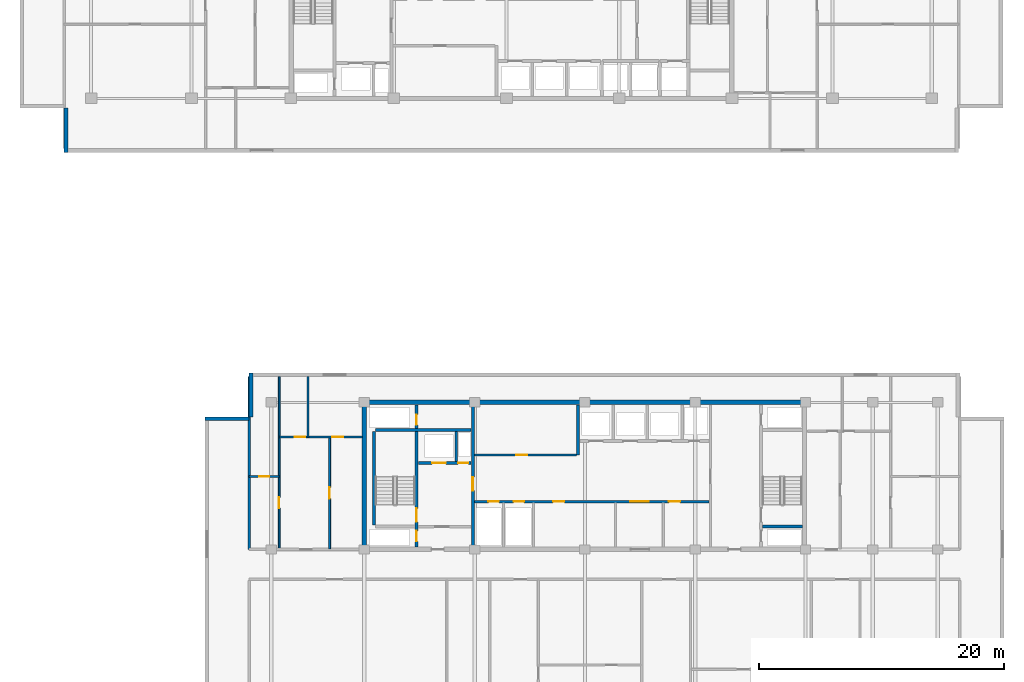
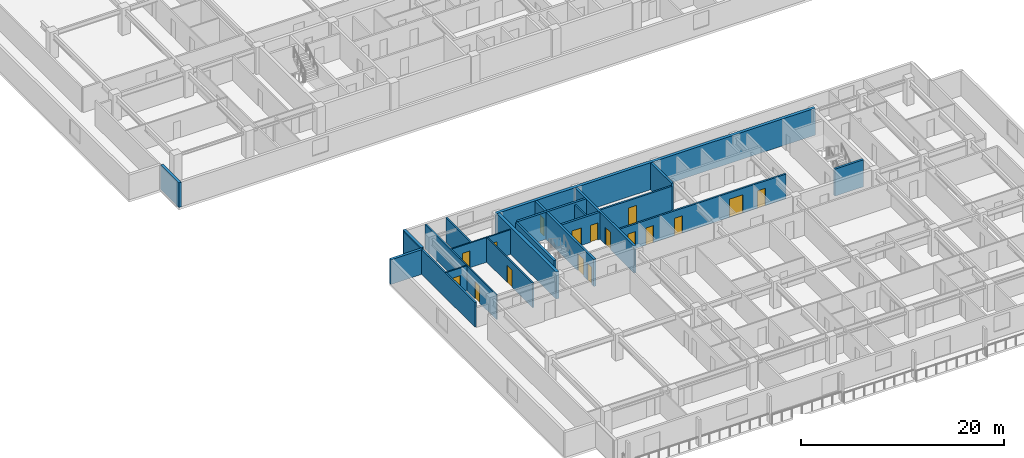
# One storey, part 6 of 21: 21 walls, 17 doors, 17 openings.
"""IFC4 building model written with IfcOpenShell, lengths in metres."""

from ifc_helpers import new_model, si_unit, direction, frame, frame_2d, origin, place, context, subcontext, project, spatial, rectangle, extrude, material, layer, layer_set, type_object, element, fill, save


model = new_model("IFC4")

# Units and contexts
model_context = context("Model", 3, precision=1e-05, world=origin(), true_north=direction((0.0, 1.0)))
body_context = subcontext(model_context, "Body", "Model", "MODEL_VIEW")
ifc_project = project(units=[si_unit("LENGTHUNIT", "METRE"), si_unit("AREAUNIT", "SQUARE_METRE"), si_unit("VOLUMEUNIT", "CUBIC_METRE"), si_unit("PLANEANGLEUNIT", "RADIAN"), si_unit("MASSUNIT", "GRAM", prefix="KILO")], contexts=[model_context])

# Site, building, storey
site_placement = place(None, origin())
site = spatial("IfcSite", under=ifc_project, at=site_placement, CompositionType="ELEMENT")
building_placement = place(site_placement, origin())
building = spatial("IfcBuilding", under=site, at=building_placement, Name="Korimba Cascade Residences", CompositionType="ELEMENT")
storey_placement = place(building_placement, frame((0.0, 0.0, 113.300048828125)))
storey = spatial("IfcBuildingStorey", under=building, at=storey_placement, Name="L32", CompositionType="ELEMENT", Elevation=113.300048828125)

# Walls
ifc_material_1 = material(Name="Precast concrete C40/50", Category="concrete")
ifc_layer_1 = layer(ifc_material_1, 0.300048828125)
ifc_layer_set_1 = layer_set([ifc_layer_1], Name="Precast concrete C40/50")
wall_type_1 = type_object("IfcWallType", Name="EW-STONE-300", PredefinedType="STANDARD", material=ifc_layer_set_1)
wall_1_placement = place(storey_placement, frame((57.75, 54.39990234375, 0.0), z_axis=(0.0, 0.0, 1.0), x_axis=(0.0, -1.0, 0.0)))
element("IfcWall", 1, at=wall_1_placement, inside=storey, type_object=wall_type_1, Name="L32 T1 Perimeter Stone Wall E11", PredefinedType="STANDARD", context=body_context, shape_type="SweptSolid", body=[
    extrude(rectangle(XDim=3.599853515625, YDim=0.300048828125, at=frame_2d((1.7998046875, 0.0))), origin(), (0.0, 0.0, 1.0), 2.969970703125),
])
wall_2_placement = place(storey_placement, frame((72.85009765625, 32.800048828125, 0.0), z_axis=(0.0, 0.0, 1.0), x_axis=(0.0, -1.0, 0.0)))
element("IfcWall", 2, at=wall_2_placement, inside=storey, type_object=wall_type_1, Name="L32 T2 Perimeter Stone Wall E07", PredefinedType="STANDARD", context=body_context, shape_type="SweptSolid", body=[
    extrude(rectangle(XDim=3.60009765625, YDim=0.300048828125, at=frame_2d((1.800048828125, 0.0))), origin(), (0.0, 0.0, 1.0), 2.969970703125),
])
wall_3_placement = place(storey_placement, frame((72.699951171875, 29.050048828125, 0.0), z_axis=(0.0, 0.0, 1.0), x_axis=(-1.0, 0.0, 0.0)))
element("IfcWall", 3, at=wall_3_placement, inside=storey, type_object=wall_type_1, Name="L32 T2 Perimeter Stone Wall E08", PredefinedType="STANDARD", context=body_context, shape_type="SweptSolid", body=[
    extrude(rectangle(XDim=3.599853515625, YDim=0.300048828125, at=frame_2d((1.7998046875, 0.0))), origin(), (0.0, 0.0, 1.0), 2.969970703125),
])
ifc_material_2 = material(Name="Concrete C65/80", Category="concrete")
ifc_layer_2 = layer(ifc_material_2, 0.35009765625)
ifc_layer_set_2 = layer_set([ifc_layer_2], Name="Concrete C65/80")
wall_type_2 = type_object("IfcWallType", Name="WAL-CORE-350", PredefinedType="SHEAR", material=ifc_layer_set_2)
wall_4_placement = place(storey_placement, frame((81.925048828125, 30.39990234375, 0.0), z_axis=(0.0, 0.0, 1.0), x_axis=(1.0, 0.0, 0.0)))
element("IfcWall", 4, at=wall_4_placement, inside=storey, type_object=wall_type_2, Name="L32 Core Shear Wall CW-L32-T2-N", PredefinedType="SHEAR", context=body_context, shape_type="SweptSolid", body=[
    extrude(rectangle(XDim=36.264892578125, YDim=0.35009765625, at=frame_2d((18.13232421875, 0.0))), origin(), (0.0, 0.0, 1.0), 3.25),
])
wall_5_placement = place(storey_placement, frame((82.10009765625, 18.574951171875, 0.0), z_axis=(0.0, 0.0, 1.0), x_axis=(0.0, 1.0, 0.0)))
element("IfcWall", 5, at=wall_5_placement, inside=storey, type_object=wall_type_2, Name="L32 Core Shear Wall CW-L32-T2-W", PredefinedType="SHEAR", context=body_context, shape_type="SweptSolid", body=[
    extrude(rectangle(XDim=11.650146484375, YDim=0.35009765625, at=frame_2d((5.8251953125, 0.0))), origin(), (0.0, 0.0, 1.0), 3.25),
])
ifc_layer_3 = layer(ifc_material_1, 0.199951171875)
ifc_layer_set_3 = layer_set([ifc_layer_3], Name="Precast concrete C40/50")
wall_type_3 = type_object("IfcWallType", Name="WAL-IT-200", PredefinedType="PARTITIONING", material=ifc_layer_set_3)
wall_6_placement = place(storey_placement, frame((72.699951171875, 18.39990234375, 0.0), z_axis=(0.0, 0.0, 1.0), x_axis=(0.0, 1.0, 0.0)))
element("IfcWall", 6, at=wall_6_placement, inside=storey, type_object=wall_type_3, Name="L32 Partition Wall WAL-L32-T2-FW-WL", PredefinedType="PARTITIONING", context=body_context, shape_type="SweptSolid", body=[
    extrude(rectangle(XDim=14.10009765625, YDim=0.199951171875, at=frame_2d((7.050048828125, 0.0))), origin(), (0.0, 0.0, 1.0), 2.969970703125),
])

# Wall, opening, door
ifc_material_3 = material(Name="Insulated Acoustic Stud Partition", Category="gypsum")
ifc_layer_4 = layer(ifc_material_3, 0.14990234375)
ifc_layer_set_4 = layer_set([ifc_layer_4], Name="Insulated Acoustic Stud Partition")
wall_type_4 = type_object("IfcWallType", Name="WAL-PART-150", PredefinedType="PARTITIONING", material=ifc_layer_set_4)
wall_7_placement = place(storey_placement, frame((72.699951171875, 24.35009765625, 0.0), z_axis=(0.0, 0.0, 1.0), x_axis=(1.0, 0.0, 0.0)))
wall_7 = element("IfcWall", 7, at=wall_7_placement, inside=storey, type_object=wall_type_4, Name="L32 Partition Wall WAL-L32-T2-FW-STH", PredefinedType="PARTITIONING", context=body_context, shape_type="SweptSolid", body=[
    extrude(rectangle(XDim=2.449951171875, YDim=0.14990234375, at=frame_2d((1.22509765625, 0.0))), origin(), (0.0, 0.0, 1.0), 2.969970703125),
])
opening_1_placement = place(wall_7_placement, frame((0.804931640625, 0.0, 0.0)))
opening_1 = element("IfcOpeningElement", 8, at=opening_1_placement, cuts=wall_7, Name="Opening D-BT1", PredefinedType="OPENING", context=body_context, shape_type="SweptSolid", body=[
    extrude(rectangle(XDim=0.840087890625, YDim=2.0400390625, at=frame_2d((0.419921875, 1.02001953125))), frame((0.0, 0.0849609375, 0.0), z_axis=(0.0, -1.0, 0.0), x_axis=(1.0, 0.0, 0.0)), (0.0, 0.0, 1.0), 0.169921875),
])
ifc_material_4 = material(Name="Moisture-Resistant Bathroom Timber Door", Category="wood")
door_type_1 = type_object("IfcDoorType", Name="DR-INT-850", OperationType="NOTDEFINED", PredefinedType="DOOR", material=ifc_material_4)
door_1_placement = place(opening_1_placement, origin())
door_1 = element("IfcDoor", 9, at=door_1_placement, inside=storey, type_object=door_type_1, Name="L32-T2-FW Dressing Store Door", OperationType="SINGLE_SWING_RIGHT", OverallHeight=2.0400390625, OverallWidth=0.840087890625, PredefinedType="DOOR", context=body_context, shape_type="SweptSolid", body=[
    extrude(rectangle(XDim=0.840087890625, YDim=2.0400390625, at=frame_2d((0.419921875, 1.02001953125))), frame((0.0, 0.02490234375, 0.0), z_axis=(0.0, -1.0, 0.0), x_axis=(1.0, 0.0, 0.0)), (0.0, 0.0, 1.0), 0.050048828125),
])
fill(opening_1, door_1)

wall_8_placement = place(storey_placement, frame((75.14990234375, 18.449951171875, 0.0), z_axis=(0.0, 0.0, 1.0), x_axis=(0.0, 1.0, 0.0)))
wall_8 = element("IfcWall", 10, at=wall_8_placement, inside=storey, type_object=wall_type_4, Name="L32 Partition Wall WAL-L32-T2-FW-STV", PredefinedType="PARTITIONING", context=body_context, shape_type="SweptSolid", body=[
    extrude(rectangle(XDim=14.050048828125, YDim=0.14990234375, at=frame_2d((7.02490234375, 0.0))), origin(), (0.0, 0.0, 1.0), 2.969970703125),
])
opening_2_placement = place(wall_8_placement, frame((3.320068359375, 0.0, 0.0)))
opening_2 = element("IfcOpeningElement", 11, at=opening_2_placement, cuts=wall_8, Name="Opening D-IN2", PredefinedType="OPENING", context=body_context, shape_type="SweptSolid", body=[
    extrude(rectangle(XDim=0.8798828125, YDim=2.06005859375, at=frame_2d((0.43994140625, 1.030029296875))), frame((0.0, 0.0849609375, 0.0), z_axis=(0.0, -1.0, 0.0), x_axis=(1.0, 0.0, 0.0)), (0.0, 0.0, 1.0), 0.169921875),
])
ifc_material_5 = material(Name="Acoustic Timber Bedroom Door", Category="wood")
door_type_2 = type_object("IfcDoorType", Name="DR-INT-880", OperationType="NOTDEFINED", PredefinedType="DOOR", material=ifc_material_5)
door_2_placement = place(opening_2_placement, origin())
door_2 = element("IfcDoor", 12, at=door_2_placement, inside=storey, type_object=door_type_2, Name="L32-T2-FW Study Door", OperationType="SINGLE_SWING_LEFT", OverallHeight=2.06005859375, OverallWidth=0.8798828125, PredefinedType="DOOR", context=body_context, shape_type="SweptSolid", body=[
    extrude(rectangle(XDim=0.8798828125, YDim=2.06005859375, at=frame_2d((0.43994140625, 1.030029296875))), frame((0.0, 0.02490234375, 0.0), z_axis=(0.0, -1.0, 0.0), x_axis=(1.0, 0.0, 0.0)), (0.0, 0.0, 1.0), 0.050048828125),
])
fill(opening_2, door_2)

wall_9_placement = place(storey_placement, frame((79.27001953125, 18.449951171875, 0.0), z_axis=(0.0, 0.0, 1.0), x_axis=(0.0, 1.0, 0.0)))
wall_9 = element("IfcWall", 13, at=wall_9_placement, inside=storey, type_object=wall_type_4, Name="L32 Partition Wall WAL-L32-T2-FW-VS", PredefinedType="PARTITIONING", context=body_context, shape_type="SweptSolid", body=[
    extrude(rectangle(XDim=9.1201171875, YDim=0.14990234375, at=frame_2d((4.56005859375, 0.0))), origin(), (0.0, 0.0, 1.0), 2.969970703125),
])
opening_3_placement = place(wall_9_placement, frame((4.10009765625, 0.0, 0.0)))
opening_3 = element("IfcOpeningElement", 14, at=opening_3_placement, cuts=wall_9, Name="Opening D-IN1", PredefinedType="OPENING", context=body_context, shape_type="SweptSolid", body=[
    extrude(rectangle(XDim=0.919921875, YDim=2.080078125, at=frame_2d((0.4599609375, 1.0400390625))), frame((0.0, 0.0849609375, 0.0), z_axis=(0.0, -1.0, 0.0), x_axis=(1.0, 0.0, 0.0)), (0.0, 0.0, 1.0), 0.169921875),
])
ifc_material_6 = material(Name="Acoustic Timber Living Door", Category="wood")
door_type_3 = type_object("IfcDoorType", Name="DR-INT-920", OperationType="NOTDEFINED", PredefinedType="DOOR", material=ifc_material_6)
door_3_placement = place(opening_3_placement, origin())
door_3 = element("IfcDoor", 15, at=door_3_placement, inside=storey, type_object=door_type_3, Name="L32-T2-FW Living Door", OperationType="SINGLE_SWING_RIGHT", OverallHeight=2.080078125, OverallWidth=0.919921875, PredefinedType="DOOR", context=body_context, shape_type="SweptSolid", body=[
    extrude(rectangle(XDim=0.919921875, YDim=2.080078125, at=frame_2d((0.4599609375, 1.0400390625))), frame((0.0, 0.02490234375, 0.0), z_axis=(0.0, -1.0, 0.0), x_axis=(1.0, 0.0, 0.0)), (0.0, 0.0, 1.0), 0.050048828125),
])
fill(opening_3, door_3)

# Wall
wall_10_placement = place(storey_placement, frame((77.5, 27.570068359375, 0.0), z_axis=(0.0, 0.0, 1.0), x_axis=(0.0, 1.0, 0.0)))
element("IfcWall", 16, at=wall_10_placement, inside=storey, type_object=wall_type_4, Name="L32 Partition Wall WAL-L32-T2-FW-VN", PredefinedType="PARTITIONING", context=body_context, shape_type="SweptSolid", body=[
    extrude(rectangle(XDim=4.929931640625, YDim=0.14990234375, at=frame_2d((2.46484375, 0.0))), origin(), (0.0, 0.0, 1.0), 2.969970703125),
])

# Wall, openings, doors
wall_11_placement = place(storey_placement, frame((75.169921875, 27.570068359375, 0.0), z_axis=(0.0, 0.0, 1.0), x_axis=(1.0, 0.0, 0.0)))
wall_11 = element("IfcWall", 17, at=wall_11_placement, inside=storey, type_object=wall_type_4, Name="L32 Partition Wall WAL-L32-T2-FW-H", PredefinedType="PARTITIONING", context=body_context, shape_type="SweptSolid", body=[
    extrude(rectangle(XDim=6.760009765625, YDim=0.14990234375, at=frame_2d((3.3798828125, 0.0))), origin(), (0.0, 0.0, 1.0), 2.969970703125),
])
opening_4_placement = place(wall_11_placement, frame((1.266357421875, 0.0, 0.0)))
opening_4 = element("IfcOpeningElement", 18, at=opening_4_placement, cuts=wall_11, Name="Opening D-BT1", PredefinedType="OPENING", context=body_context, shape_type="SweptSolid", body=[
    extrude(rectangle(XDim=0.840087890625, YDim=2.0400390625, at=frame_2d((0.419921875, 1.02001953125))), frame((0.0, 0.0849609375, 0.0), z_axis=(0.0, -1.0, 0.0), x_axis=(1.0, 0.0, 0.0)), (0.0, 0.0, 1.0), 0.169921875),
])
opening_5_placement = place(wall_11_placement, frame((4.320068359375, 0.0, 0.0)))
opening_5 = element("IfcOpeningElement", 19, at=opening_5_placement, cuts=wall_11, Name="Opening D-IN2", PredefinedType="OPENING", context=body_context, shape_type="SweptSolid", body=[
    extrude(rectangle(XDim=0.8798828125, YDim=2.06005859375, at=frame_2d((0.43994140625, 1.030029296875))), frame((0.0, 0.0849609375, 0.0), z_axis=(0.0, -1.0, 0.0), x_axis=(1.0, 0.0, 0.0)), (0.0, 0.0, 1.0), 0.169921875),
])
door_4_placement = place(opening_4_placement, origin())
door_4 = element("IfcDoor", 20, at=door_4_placement, inside=storey, type_object=door_type_1, Name="L32-T2-FW Bathroom Door", OperationType="SINGLE_SWING_LEFT", OverallHeight=2.0400390625, OverallWidth=0.840087890625, PredefinedType="DOOR", context=body_context, shape_type="SweptSolid", body=[
    extrude(rectangle(XDim=0.840087890625, YDim=2.0400390625, at=frame_2d((0.419921875, 1.02001953125))), frame((0.0, 0.02490234375, 0.0), z_axis=(0.0, -1.0, 0.0), x_axis=(1.0, 0.0, 0.0)), (0.0, 0.0, 1.0), 0.050048828125),
])
fill(opening_4, door_4)
door_5_placement = place(opening_5_placement, origin())
door_5 = element("IfcDoor", 21, at=door_5_placement, inside=storey, type_object=door_type_2, Name="L32-T2-FW Bedroom Door", OperationType="SINGLE_SWING_RIGHT", OverallHeight=2.06005859375, OverallWidth=0.8798828125, PredefinedType="DOOR", context=body_context, shape_type="SweptSolid", body=[
    extrude(rectangle(XDim=0.8798828125, YDim=2.06005859375, at=frame_2d((0.43994140625, 1.030029296875))), frame((0.0, 0.02490234375, 0.0), z_axis=(0.0, -1.0, 0.0), x_axis=(1.0, 0.0, 0.0)), (0.0, 0.0, 1.0), 0.050048828125),
])
fill(opening_5, door_5)

# Wall
ifc_material_7 = material(Name="Concrete C40/50", Category="concrete")
ifc_layer_5 = layer(ifc_material_7, 0.199951171875)
ifc_layer_set_5 = layer_set([ifc_layer_5], Name="Concrete C40/50")
wall_type_5 = type_object("IfcWallType", Name="WAL-PART-200", PredefinedType="PARTITIONING", material=ifc_layer_set_5)
wall_12_placement = place(storey_placement, frame((89.60009765625, 25.580078125, 0.0), z_axis=(0.0, 0.0, 1.0), x_axis=(0.0, 1.0, 0.0)))
element("IfcWall", 22, at=wall_12_placement, inside=storey, type_object=wall_type_5, Name="L32 Partition Wall CW-L32-T2-FFLDIV", PredefinedType="PARTITIONING", context=body_context, shape_type="SweptSolid", body=[
    extrude(rectangle(XDim=2.419921875, YDim=0.199951171875, at=frame_2d((1.2099609375, 0.0))), origin(), (0.0, 0.0, 1.0), 2.969970703125),
])

# Wall, opening, door
wall_13_placement = place(storey_placement, frame((91.080078125, 26.10009765625, 0.0), z_axis=(0.0, 0.0, 1.0), x_axis=(1.0, 0.0, 0.0)))
wall_13 = element("IfcWall", 23, at=wall_13_placement, inside=storey, type_object=wall_type_5, Name="L32 Partition Wall CW-L32-T2-B1RS", PredefinedType="PARTITIONING", context=body_context, shape_type="SweptSolid", body=[
    extrude(rectangle(XDim=8.33984375, YDim=0.199951171875, at=frame_2d((4.169921875, 0.0))), origin(), (0.0, 0.0, 1.0), 2.969970703125),
])
opening_6_placement = place(wall_13_placement, frame((3.39990234375, 0.0, 0.0)))
opening_6 = element("IfcOpeningElement", 24, at=opening_6_placement, cuts=wall_13, Name="Opening D-ST1", PredefinedType="OPENING", context=body_context, shape_type="SweptSolid", body=[
    extrude(rectangle(XDim=0.919921875, YDim=2.080078125, at=frame_2d((0.4599609375, 1.0400390625))), frame((0.0, 0.10986328125, 0.0), z_axis=(0.0, -1.0, 0.0), x_axis=(1.0, 0.0, 0.0)), (0.0, 0.0, 1.0), 0.219970703125),
])
ifc_material_8 = material(Name="Fire-Rated Core Store Door", Category="wood")
door_type_4 = type_object("IfcDoorType", Name="DR-FD60-920", OperationType="NOTDEFINED", PredefinedType="DOOR", material=ifc_material_8)
door_6_placement = place(opening_6_placement, origin())
door_6 = element("IfcDoor", 25, at=door_6_placement, inside=storey, type_object=door_type_4, Name="L32 T2 Resident Storage Door", OperationType="SINGLE_SWING_RIGHT", OverallHeight=2.080078125, OverallWidth=0.919921875, PredefinedType="DOOR", context=body_context, shape_type="SweptSolid", body=[
    extrude(rectangle(XDim=0.919921875, YDim=2.080078125, at=frame_2d((0.4599609375, 1.0400390625))), frame((0.0, 0.02490234375, 0.0), z_axis=(0.0, -1.0, 0.0), x_axis=(1.0, 0.0, 0.0)), (0.0, 0.0, 1.0), 0.050048828125),
])
fill(opening_6, door_6)

# Wall, openings, doors
wall_14_placement = place(storey_placement, frame((91.080078125, 22.300048828125, 0.0), z_axis=(0.0, 0.0, 1.0), x_axis=(1.0, 0.0, 0.0)))
wall_14 = element("IfcWall", 26, at=wall_14_placement, inside=storey, type_object=wall_type_5, Name="L32 Partition Wall CW-L32-T2-SRVROW", PredefinedType="PARTITIONING", context=body_context, shape_type="SweptSolid", body=[
    extrude(rectangle(XDim=19.139892578125, YDim=0.199951171875, at=frame_2d((9.56982421875, 0.0))), origin(), (0.0, 0.0, 1.0), 2.969970703125),
])
opening_7_placement = place(wall_14_placement, frame((1.14990234375, 0.0, 0.0)))
opening_7 = element("IfcOpeningElement", 27, at=opening_7_placement, cuts=wall_14, Name="Opening D-RS1", PredefinedType="OPENING", context=body_context, shape_type="SweptSolid", body=[
    extrude(rectangle(XDim=0.85009765625, YDim=2.050048828125, at=frame_2d((0.425048828125, 1.02490234375))), frame((0.0, 0.10986328125, 0.0), z_axis=(0.0, -1.0, 0.0), x_axis=(1.0, 0.0, 0.0)), (0.0, 0.0, 1.0), 0.219970703125),
])
opening_8_placement = place(wall_14_placement, frame((3.199951171875, 0.0, 0.0)))
opening_8 = element("IfcOpeningElement", 28, at=opening_8_placement, cuts=wall_14, Name="Opening D-RS1", PredefinedType="OPENING", context=body_context, shape_type="SweptSolid", body=[
    extrude(rectangle(XDim=0.85009765625, YDim=2.050048828125, at=frame_2d((0.425048828125, 1.02490234375))), frame((0.0, 0.10986328125, 0.0), z_axis=(0.0, -1.0, 0.0), x_axis=(1.0, 0.0, 0.0)), (0.0, 0.0, 1.0), 0.219970703125),
])
opening_9_placement = place(wall_14_placement, frame((12.719970703125, 0.0, 0.0)))
opening_9 = element("IfcOpeningElement", 29, at=opening_9_placement, cuts=wall_14, Name="Opening D-FD8", PredefinedType="OPENING", context=body_context, shape_type="SweptSolid", body=[
    extrude(rectangle(XDim=1.5, YDim=2.199951171875, at=frame_2d((0.75, 1.10009765625))), frame((0.0, 0.10986328125, 0.0), z_axis=(0.0, -1.0, 0.0), x_axis=(1.0, 0.0, 0.0)), (0.0, 0.0, 1.0), 0.219970703125),
])
opening_10_placement = place(wall_14_placement, frame((6.419921875, 0.0, 0.0)))
opening_10 = element("IfcOpeningElement", 30, at=opening_10_placement, cuts=wall_14, Name="Opening D-IN1", PredefinedType="OPENING", context=body_context, shape_type="SweptSolid", body=[
    extrude(rectangle(XDim=0.919921875, YDim=2.080078125, at=frame_2d((0.4599609375, 1.0400390625))), frame((0.0, 0.10986328125, 0.0), z_axis=(0.0, -1.0, 0.0), x_axis=(1.0, 0.0, 0.0)), (0.0, 0.0, 1.0), 0.219970703125),
])
opening_11_placement = place(wall_14_placement, frame((15.8701171875, 0.0, 0.0)))
opening_11 = element("IfcOpeningElement", 31, at=opening_11_placement, cuts=wall_14, Name="Opening D-IN1", PredefinedType="OPENING", context=body_context, shape_type="SweptSolid", body=[
    extrude(rectangle(XDim=0.919921875, YDim=2.080078125, at=frame_2d((0.4599609375, 1.0400390625))), frame((0.0, 0.10986328125, 0.0), z_axis=(0.0, -1.0, 0.0), x_axis=(1.0, 0.0, 0.0)), (0.0, 0.0, 1.0), 0.219970703125),
])
ifc_material_9 = material(Name="Fire-Rated Steel Riser Access Door", Category="steel")
door_type_5 = type_object("IfcDoorType", Name="DR-FD60-850", OperationType="NOTDEFINED", PredefinedType="DOOR", material=ifc_material_9)
door_7_placement = place(opening_7_placement, origin())
door_7 = element("IfcDoor", 32, at=door_7_placement, inside=storey, type_object=door_type_5, Name="L32 T2 Electrical Riser Door", OperationType="SINGLE_SWING_RIGHT", OverallHeight=2.050048828125, OverallWidth=0.85009765625, PredefinedType="DOOR", context=body_context, shape_type="SweptSolid", body=[
    extrude(rectangle(XDim=0.85009765625, YDim=2.050048828125, at=frame_2d((0.425048828125, 1.02490234375))), frame((0.0, 0.02490234375, 0.0), z_axis=(0.0, -1.0, 0.0), x_axis=(1.0, 0.0, 0.0)), (0.0, 0.0, 1.0), 0.050048828125),
])
fill(opening_7, door_7)
door_8_placement = place(opening_8_placement, origin())
door_8 = element("IfcDoor", 33, at=door_8_placement, inside=storey, type_object=door_type_5, Name="L32 T2 Plumbing Riser Door", OperationType="SINGLE_SWING_LEFT", OverallHeight=2.050048828125, OverallWidth=0.85009765625, PredefinedType="DOOR", context=body_context, shape_type="SweptSolid", body=[
    extrude(rectangle(XDim=0.85009765625, YDim=2.050048828125, at=frame_2d((0.425048828125, 1.02490234375))), frame((0.0, 0.02490234375, 0.0), z_axis=(0.0, -1.0, 0.0), x_axis=(1.0, 0.0, 0.0)), (0.0, 0.0, 1.0), 0.050048828125),
])
fill(opening_8, door_8)
ifc_material_10 = material(Name="Fire-Rated Glazed Lift Lobby Double Door", Category="glass")
door_type_6 = type_object("IfcDoorType", Name="DR-FD90-1500", OperationType="NOTDEFINED", PredefinedType="DOOR", material=ifc_material_10)
door_9_placement = place(opening_9_placement, origin())
door_9 = element("IfcDoor", 34, at=door_9_placement, inside=storey, type_object=door_type_6, Name="L32 T2 Lift Lobby Foyer Door", OperationType="DOUBLE_DOOR_SINGLE_SWING", OverallHeight=2.199951171875, OverallWidth=1.5, PredefinedType="DOOR", context=body_context, shape_type="SweptSolid", body=[
    extrude(rectangle(XDim=1.5, YDim=2.199951171875, at=frame_2d((0.75, 1.10009765625))), frame((0.0, 0.02490234375, 0.0), z_axis=(0.0, -1.0, 0.0), x_axis=(1.0, 0.0, 0.0)), (0.0, 0.0, 1.0), 0.050048828125),
])
fill(opening_9, door_9)
door_10_placement = place(opening_10_placement, origin())
door_10 = element("IfcDoor", 35, at=door_10_placement, inside=storey, type_object=door_type_3, Name="L32 T2 Housekeeping Door", OperationType="SINGLE_SWING_RIGHT", OverallHeight=2.080078125, OverallWidth=0.919921875, PredefinedType="DOOR", context=body_context, shape_type="SweptSolid", body=[
    extrude(rectangle(XDim=0.919921875, YDim=2.080078125, at=frame_2d((0.4599609375, 1.0400390625))), frame((0.0, 0.02490234375, 0.0), z_axis=(0.0, -1.0, 0.0), x_axis=(1.0, 0.0, 0.0)), (0.0, 0.0, 1.0), 0.050048828125),
])
fill(opening_10, door_10)
door_11_placement = place(opening_11_placement, origin())
door_11 = element("IfcDoor", 36, at=door_11_placement, inside=storey, type_object=door_type_3, Name="L32 T2 Store Door", OperationType="SINGLE_SWING_LEFT", OverallHeight=2.080078125, OverallWidth=0.919921875, PredefinedType="DOOR", context=body_context, shape_type="SweptSolid", body=[
    extrude(rectangle(XDim=0.919921875, YDim=2.080078125, at=frame_2d((0.4599609375, 1.0400390625))), frame((0.0, 0.02490234375, 0.0), z_axis=(0.0, -1.0, 0.0), x_axis=(1.0, 0.0, 0.0)), (0.0, 0.0, 1.0), 0.050048828125),
])
fill(opening_11, door_11)

# Wall
ifc_material_11 = material(Name="Concrete C50/60", Category="concrete")
ifc_layer_6 = layer(ifc_material_11, 0.25)
ifc_layer_set_6 = layer_set([ifc_layer_6], Name="Concrete C50/60")
wall_type_6 = type_object("IfcWallType", Name="WAL-SHAFT-250", PredefinedType="SHEAR", material=ifc_layer_set_6)
wall_15_placement = place(storey_placement, frame((82.875, 20.39990234375, 0.0), z_axis=(0.0, 0.0, 1.0), x_axis=(0.0, 1.0, 0.0)))
element("IfcWall", 37, at=wall_15_placement, inside=storey, type_object=wall_type_6, Name="L32 Core Shear Wall CW-L32-T2-STE1W", PredefinedType="SHEAR", context=body_context, shape_type="SweptSolid", body=[
    extrude(rectangle(XDim=7.60009765625, YDim=0.25, at=frame_2d((3.800048828125, 0.0))), origin(), (0.0, 0.0, 1.0), 3.25),
])

# Wall, openings, doors
wall_16_placement = place(storey_placement, frame((86.364990234375, 18.60009765625, 0.0), z_axis=(0.0, 0.0, 1.0), x_axis=(0.0, 1.0, 0.0)))
wall_16 = element("IfcWall", 38, at=wall_16_placement, inside=storey, type_object=wall_type_6, Name="L32 Core Shear Wall CW-L32-T2-STE1E", PredefinedType="SHEAR", context=body_context, shape_type="SweptSolid", body=[
    extrude(rectangle(XDim=11.599853515625, YDim=0.25, at=frame_2d((5.7998046875, 0.0))), origin(), (0.0, 0.0, 1.0), 3.25),
])
opening_12_placement = place(wall_16_placement, frame((0.449951171875, 0.0, 0.0)))
opening_12 = element("IfcOpeningElement", 39, at=opening_12_placement, cuts=wall_16, Name="Opening D-RS1", PredefinedType="OPENING", context=body_context, shape_type="SweptSolid", body=[
    extrude(rectangle(XDim=0.85009765625, YDim=2.050048828125, at=frame_2d((0.425048828125, 1.02490234375))), frame((0.0, 0.135009765625, 0.0), z_axis=(0.0, -1.0, 0.0), x_axis=(1.0, 0.0, 0.0)), (0.0, 0.0, 1.0), 0.27001953125),
])
opening_13_placement = place(wall_16_placement, frame((2.050048828125, 0.0, 0.0)))
opening_13 = element("IfcOpeningElement", 40, at=opening_13_placement, cuts=wall_16, Name="Opening D-FD1", PredefinedType="OPENING", context=body_context, shape_type="SweptSolid", body=[
    extrude(rectangle(XDim=1.10009765625, YDim=2.10009765625, at=frame_2d((0.550048828125, 1.050048828125))), frame((0.0, 0.135009765625, 0.0), z_axis=(0.0, -1.0, 0.0), x_axis=(1.0, 0.0, 0.0)), (0.0, 0.0, 1.0), 0.27001953125),
])
opening_14_placement = place(wall_16_placement, frame((9.949951171875, 0.0, 0.0)))
opening_14 = element("IfcOpeningElement", 41, at=opening_14_placement, cuts=wall_16, Name="Opening D-RS1", PredefinedType="OPENING", context=body_context, shape_type="SweptSolid", body=[
    extrude(rectangle(XDim=0.85009765625, YDim=2.050048828125, at=frame_2d((0.425048828125, 1.02490234375))), frame((0.0, 0.135009765625, 0.0), z_axis=(0.0, -1.0, 0.0), x_axis=(1.0, 0.0, 0.0)), (0.0, 0.0, 1.0), 0.27001953125),
])
ifc_material_12 = material(Name="Fire-Rated Steel Core Door", Category="steel")
door_type_7 = type_object("IfcDoorType", Name="DR-FD120-1100", OperationType="NOTDEFINED", PredefinedType="DOOR", material=ifc_material_12)
door_12_placement = place(opening_13_placement, origin())
door_12 = element("IfcDoor", 42, at=door_12_placement, inside=storey, type_object=door_type_7, Name="L32 Fire Stair ST-E1 Door", OperationType="SINGLE_SWING_LEFT", OverallHeight=2.10009765625, OverallWidth=1.10009765625, PredefinedType="DOOR", context=body_context, shape_type="SweptSolid", body=[
    extrude(rectangle(XDim=1.10009765625, YDim=2.10009765625, at=frame_2d((0.550048828125, 1.050048828125))), frame((0.0, 0.02490234375, 0.0), z_axis=(0.0, -1.0, 0.0), x_axis=(1.0, 0.0, 0.0)), (0.0, 0.0, 1.0), 0.050048828125),
])
fill(opening_13, door_12)
door_13_placement = place(opening_12_placement, origin())
door_13 = element("IfcDoor", 43, at=door_13_placement, inside=storey, type_object=door_type_5, Name="L32 T2 Hydrant Riser Door", OperationType="SINGLE_SWING_RIGHT", OverallHeight=2.050048828125, OverallWidth=0.85009765625, PredefinedType="DOOR", context=body_context, shape_type="SweptSolid", body=[
    extrude(rectangle(XDim=0.85009765625, YDim=2.050048828125, at=frame_2d((0.425048828125, 1.02490234375))), frame((0.0, 0.02490234375, 0.0), z_axis=(0.0, -1.0, 0.0), x_axis=(1.0, 0.0, 0.0)), (0.0, 0.0, 1.0), 0.050048828125),
])
fill(opening_12, door_13)
door_14_placement = place(opening_14_placement, origin())
door_14 = element("IfcDoor", 44, at=door_14_placement, inside=storey, type_object=door_type_5, Name="L32 T2 Smoke Shaft Door", OperationType="SINGLE_SWING_RIGHT", OverallHeight=2.050048828125, OverallWidth=0.85009765625, PredefinedType="DOOR", context=body_context, shape_type="SweptSolid", body=[
    extrude(rectangle(XDim=0.85009765625, YDim=2.050048828125, at=frame_2d((0.425048828125, 1.02490234375))), frame((0.0, 0.02490234375, 0.0), z_axis=(0.0, -1.0, 0.0), x_axis=(1.0, 0.0, 0.0)), (0.0, 0.0, 1.0), 0.050048828125),
])
fill(opening_14, door_14)

# Wall
wall_17_placement = place(storey_placement, frame((83.0, 28.125, 0.0), z_axis=(0.0, 0.0, 1.0), x_axis=(1.0, 0.0, 0.0)))
element("IfcWall", 45, at=wall_17_placement, inside=storey, type_object=wall_type_6, Name="L32 Core Shear Wall CW-L32-T2-STE1N", PredefinedType="SHEAR", context=body_context, shape_type="SweptSolid", body=[
    extrude(rectangle(XDim=7.820068359375, YDim=0.25, at=frame_2d((3.91015625, 0.0))), origin(), (0.0, 0.0, 1.0), 3.25),
])

# Wall, openings, doors
wall_18_placement = place(storey_placement, frame((86.5, 25.449951171875, 0.0), z_axis=(0.0, 0.0, 1.0), x_axis=(1.0, 0.0, 0.0)))
wall_18 = element("IfcWall", 46, at=wall_18_placement, inside=storey, type_object=wall_type_6, Name="L32 Core Shear Wall CW-L32-T2-FFLN", PredefinedType="SHEAR", context=body_context, shape_type="SweptSolid", body=[
    extrude(rectangle(XDim=4.320068359375, YDim=0.25, at=frame_2d((2.16015625, 0.0))), origin(), (0.0, 0.0, 1.0), 3.25),
])
opening_15_placement = place(wall_18_placement, frame((1.139892578125, 0.0, 0.0)))
opening_15 = element("IfcOpeningElement", 47, at=opening_15_placement, cuts=wall_18, Name="Opening LD-01", PredefinedType="OPENING", context=body_context, shape_type="SweptSolid", body=[
    extrude(rectangle(XDim=1.1201171875, YDim=2.1201171875, at=frame_2d((0.56005859375, 1.06005859375))), frame((0.0, 0.135009765625, 0.0), z_axis=(0.0, -1.0, 0.0), x_axis=(1.0, 0.0, 0.0)), (0.0, 0.0, 1.0), 0.27001953125),
])
opening_16_placement = place(wall_18_placement, frame((3.25, 0.0, 0.0)))
opening_16 = element("IfcOpeningElement", 48, at=opening_16_placement, cuts=wall_18, Name="Opening D-RS1", PredefinedType="OPENING", context=body_context, shape_type="SweptSolid", body=[
    extrude(rectangle(XDim=0.85009765625, YDim=2.050048828125, at=frame_2d((0.425048828125, 1.02490234375))), frame((0.0, 0.135009765625, 0.0), z_axis=(0.0, -1.0, 0.0), x_axis=(1.0, 0.0, 0.0)), (0.0, 0.0, 1.0), 0.27001953125),
])
door_15_placement = place(opening_16_placement, origin())
door_15 = element("IfcDoor", 49, at=door_15_placement, inside=storey, type_object=door_type_5, Name="L32 T2 Pressurisation Riser Door", OperationType="SINGLE_SWING_LEFT", OverallHeight=2.050048828125, OverallWidth=0.85009765625, PredefinedType="DOOR", context=body_context, shape_type="SweptSolid", body=[
    extrude(rectangle(XDim=0.85009765625, YDim=2.050048828125, at=frame_2d((0.425048828125, 1.02490234375))), frame((0.0, 0.02490234375, 0.0), z_axis=(0.0, -1.0, 0.0), x_axis=(1.0, 0.0, 0.0)), (0.0, 0.0, 1.0), 0.050048828125),
])
fill(opening_16, door_15)
ifc_material_13 = material(Name="Stainless Steel Lift Landing Sliding Door", Category="steel")
door_type_8 = type_object("IfcDoorType", Name="DR-LIFT-1100", OperationType="NOTDEFINED", PredefinedType="DOOR", material=ifc_material_13)
door_16_placement = place(opening_15_placement, origin())
door_16 = element("IfcDoor", 50, at=door_16_placement, inside=storey, type_object=door_type_8, Name="L32 Firefighting Lift Landing Door FFL-E1", OperationType="SLIDING_TO_RIGHT", OverallHeight=2.1201171875, OverallWidth=1.1201171875, PredefinedType="DOOR", context=body_context, shape_type="SweptSolid", body=[
    extrude(rectangle(XDim=1.1201171875, YDim=2.1201171875, at=frame_2d((0.56005859375, 1.06005859375))), frame((0.0, 0.02490234375, 0.0), z_axis=(0.0, -1.0, 0.0), x_axis=(1.0, 0.0, 0.0)), (0.0, 0.0, 1.0), 0.050048828125),
])
fill(opening_15, door_16)

# Wall, opening, door
wall_19_placement = place(storey_placement, frame((90.949951171875, 18.60009765625, 0.0), z_axis=(0.0, 0.0, 1.0), x_axis=(0.0, 1.0, 0.0)))
wall_19 = element("IfcWall", 51, at=wall_19_placement, inside=storey, type_object=wall_type_6, Name="L32 Core Shear Wall CW-L32-T2-FFLE", PredefinedType="SHEAR", context=body_context, shape_type="SweptSolid", body=[
    extrude(rectangle(XDim=11.599853515625, YDim=0.25, at=frame_2d((5.7998046875, 0.0))), origin(), (0.0, 0.0, 1.0), 3.25),
])
opening_17_placement = place(wall_19_placement, frame((4.60009765625, 0.0, 0.0)))
opening_17 = element("IfcOpeningElement", 52, at=opening_17_placement, cuts=wall_19, Name="Opening D-FD1", PredefinedType="OPENING", context=body_context, shape_type="SweptSolid", body=[
    extrude(rectangle(XDim=1.10009765625, YDim=2.10009765625, at=frame_2d((0.550048828125, 1.050048828125))), frame((0.0, 0.135009765625, 0.0), z_axis=(0.0, -1.0, 0.0), x_axis=(1.0, 0.0, 0.0)), (0.0, 0.0, 1.0), 0.27001953125),
])
door_17_placement = place(opening_17_placement, origin())
door_17 = element("IfcDoor", 53, at=door_17_placement, inside=storey, type_object=door_type_7, Name="L32 T2 Firefighting Lobby to Lift Lobby Door", OperationType="SINGLE_SWING_LEFT", OverallHeight=2.10009765625, OverallWidth=1.10009765625, PredefinedType="DOOR", context=body_context, shape_type="SweptSolid", body=[
    extrude(rectangle(XDim=1.10009765625, YDim=2.10009765625, at=frame_2d((0.550048828125, 1.050048828125))), frame((0.0, 0.02490234375, 0.0), z_axis=(0.0, -1.0, 0.0), x_axis=(1.0, 0.0, 0.0)), (0.0, 0.0, 1.0), 0.050048828125),
])
fill(opening_17, door_17)

# Walls
wall_20_placement = place(storey_placement, frame((99.550048828125, 26.10009765625, 0.0), z_axis=(0.0, 0.0, 1.0), x_axis=(0.0, 1.0, 0.0)))
element("IfcWall", 54, at=wall_20_placement, inside=storey, type_object=wall_type_6, Name="L32 Core Shear Wall CW-L32-T2-B12DIV", PredefinedType="SHEAR", context=body_context, shape_type="SweptSolid", body=[
    extrude(rectangle(XDim=4.099853515625, YDim=0.25, at=frame_2d((2.0498046875, 0.0))), origin(), (0.0, 0.0, 1.0), 3.25),
])
wall_21_placement = place(storey_placement, frame((114.60009765625, 20.27490234375, 0.0), z_axis=(0.0, 0.0, 1.0), x_axis=(1.0, 0.0, 0.0)))
element("IfcWall", 55, at=wall_21_placement, inside=storey, type_object=wall_type_6, Name="L32 Core Shear Wall CW-L32-T2-STE2S", PredefinedType="SHEAR", context=body_context, shape_type="SweptSolid", body=[
    extrude(rectangle(XDim=3.239990234375, YDim=0.25, at=frame_2d((1.6201171875, 0.0))), origin(), (0.0, 0.0, 1.0), 3.25),
])

save(model, "model.ifc")
